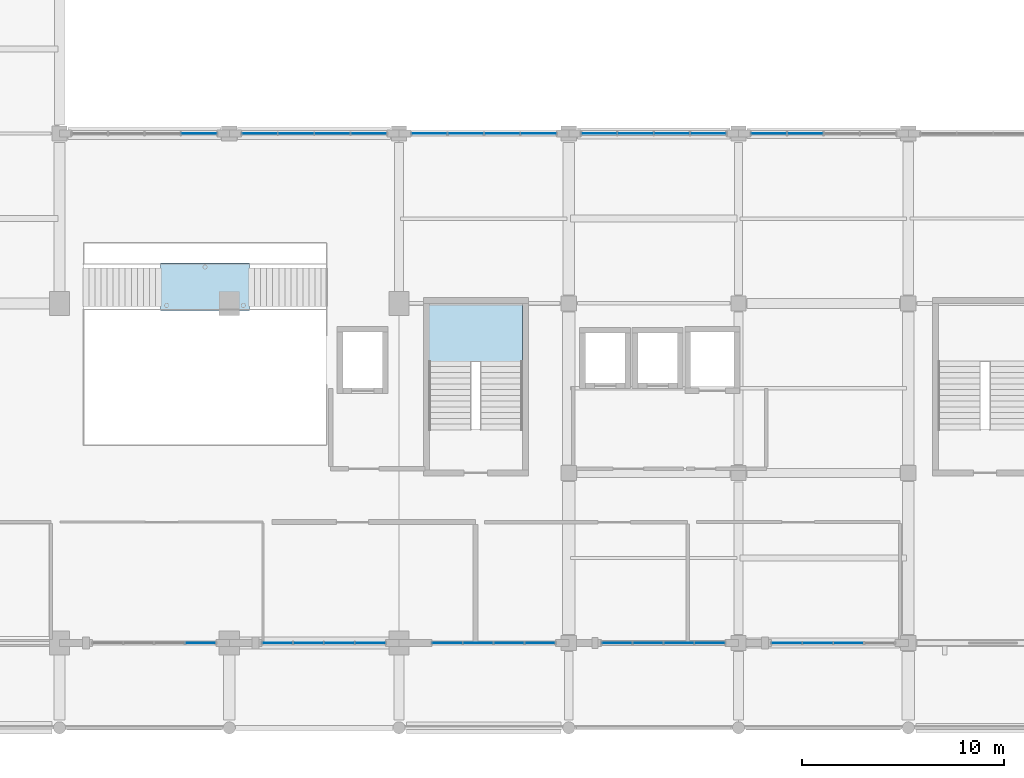
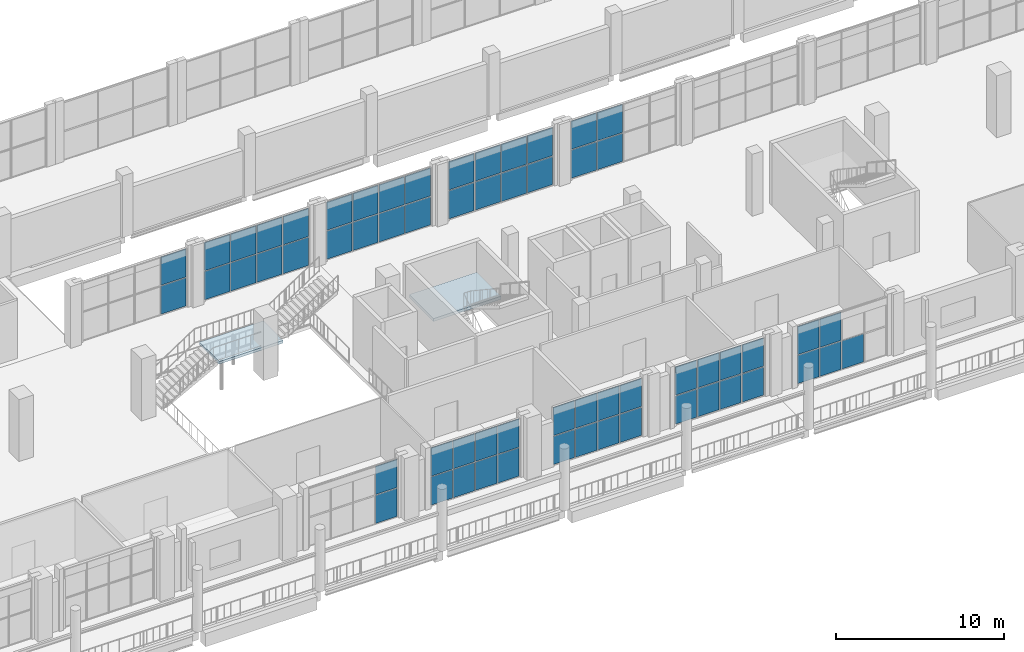
# One storey, part 47 of 75: 61 plates, 2 slabs, 12 elements without a shape of their own.
"""IFC4 building model written with IfcOpenShell, lengths in metres."""

import ifcopenshell
import ifcopenshell.guid

model = None  # the IFC model being written
_history = None  # IfcOwnerHistory: only IFC2X3 demands one
_inside = {}  # id of a spatial element -> (the spatial element, [elements in it])
_under = {}  # id of a project, library or spatial element -> (it, [spatial elements below it])
_declared = {}  # id of a project -> (the project, [libraries it declares])
_typed = {}  # id of a type object -> (the type object, [elements of that type])
_made_of = {}  # id of a material, layer set ... -> (it, [elements and type objects made of it])


def new_model(schema):
    """Start an empty IFC model of exactly this schema.

    Asked for "IFC4X3", IfcOpenShell would pick the latest addendum, in which some entities
    have other attributes; the version numbers below select the first issue.
    IFC2X3 requires an IfcOwnerHistory on every rooted entity: one is made here for all.
    """
    global model, _history
    if schema == "IFC4X3":
        model = ifcopenshell.file(schema_version=(4, 3, 0, 0))
    else:
        model = ifcopenshell.file(schema=schema)
    _inside.clear()
    _under.clear()
    _declared.clear()
    _typed.clear()
    _made_of.clear()
    _history = None
    if model.schema == "IFC2X3":
        org = make("IfcOrganization", Name="unknown")
        user = make(
            "IfcPersonAndOrganization",
            ThePerson=make("IfcPerson", FamilyName="unknown"),
            TheOrganization=org,
        )
        app = make(
            "IfcApplication",
            ApplicationDeveloper=org,
            Version="unknown",
            ApplicationFullName="unknown",
            ApplicationIdentifier="unknown",
        )
        _history = make(
            "IfcOwnerHistory",
            OwningUser=user,
            OwningApplication=app,
            ChangeAction="ADDED",
            CreationDate=0,
        )
    return model


def make(cls, **values):
    """One entity of the class cls with the attributes given. An attribute that is None is left unset."""
    return model.create_entity(
        cls, **{name: value for name, value in values.items() if value is not None}
    )


def rooted(cls, **values):
    """An entity with a GlobalId (a new one), such as an element, a storey or a relation."""
    return make(cls, GlobalId=ifcopenshell.guid.new(), OwnerHistory=_history, **values)


def si_unit(unit_type, name, prefix=None):
    """IfcSIUnit, for example si_unit("LENGTHUNIT", "METRE", prefix="MILLI")."""
    return make("IfcSIUnit", UnitType=unit_type, Prefix=prefix, Name=name)


def derived_unit(unit_type, elements):
    """IfcDerivedUnit: a product of units, each with its exponent."""
    return make(
        "IfcDerivedUnit",
        Elements=[
            make("IfcDerivedUnitElement", Unit=unit, Exponent=power)
            for unit, power in elements
        ],
        UnitType=unit_type,
    )


def assignment(units):
    """IfcUnitAssignment: the units of a project."""
    return None if units is None else make("IfcUnitAssignment", Units=units)


def point(xyz):
    """IfcCartesianPoint."""
    return None if xyz is None else make("IfcCartesianPoint", Coordinates=xyz)


def direction(xyz):
    """IfcDirection."""
    return None if xyz is None else make("IfcDirection", DirectionRatios=xyz)


def frame(location, z_axis=None, x_axis=None):
    """IfcAxis2Placement3D, a coordinate frame: its origin and axes. An axis left out is left unset."""
    return make(
        "IfcAxis2Placement3D",
        Location=point(location),
        Axis=direction(z_axis),
        RefDirection=direction(x_axis),
    )


def frame_2d(location, x_axis=None):
    """IfcAxis2Placement2D, a coordinate frame in the plane: its origin and x axis."""
    return make(
        "IfcAxis2Placement2D", Location=point(location), RefDirection=direction(x_axis)
    )


def origin():
    """The frame at (0, 0, 0) with its axes left unset."""
    return frame((0.0, 0.0, 0.0))


def origin_2d():
    """The frame at (0, 0) in the plane with its x axis left unset."""
    return frame_2d((0.0, 0.0))


def place(relative_to, where):
    """IfcLocalPlacement: puts the frame where relative to a parent placement (None: the world)."""
    return make(
        "IfcLocalPlacement", PlacementRelTo=relative_to, RelativePlacement=where
    )


def context(
    kind, dimensions, precision=None, world=None, true_north=None, identifier=None
):
    """IfcGeometricRepresentationContext, for example the 3D "Model" context."""
    return make(
        "IfcGeometricRepresentationContext",
        ContextIdentifier=identifier,
        ContextType=kind,
        CoordinateSpaceDimension=dimensions,
        Precision=precision,
        WorldCoordinateSystem=world,
        TrueNorth=true_north,
    )


def subcontext(parent, identifier, kind, view, scale=None):
    """IfcGeometricRepresentationSubContext, for example "Body" below "Model"."""
    return make(
        "IfcGeometricRepresentationSubContext",
        ContextIdentifier=identifier,
        ContextType=kind,
        ParentContext=parent,
        TargetScale=scale,
        TargetView=view,
    )


def project(units=None, contexts=None):
    """IfcProject with its units and contexts."""
    return rooted(
        "IfcProject",
        Name="project",
        RepresentationContexts=contexts,
        UnitsInContext=assignment(units),
    )


def spatial(cls, under=None, at=None, **own):
    """A site, building, storey or space (cls), placed at a placement, below another one or the project."""
    s = rooted(cls, ObjectPlacement=at, **own)
    if under is not None:
        _under.setdefault(under.id(), (under, []))[1].append(s)
    return s


def polyline(points):
    """IfcPolyline through the points."""
    return make("IfcPolyline", Points=[point(p) for p in points])


def profile(cls, at=None, kind="AREA", **sizes):
    """A parametric profile (cls). Its sizes go by their IFC names, for example OverallWidth=200.0."""
    return make(cls, ProfileType=kind, Position=at, **sizes)


def rectangle(**sizes):
    """IfcRectangleProfileDef."""
    return profile("IfcRectangleProfileDef", **sizes)


def outline(outer, holes=None, kind="AREA"):
    """IfcArbitraryClosedProfileDef: a profile drawn as a closed curve; with holes, ...WithVoids."""
    if holes is None:
        return make("IfcArbitraryClosedProfileDef", ProfileType=kind, OuterCurve=outer)
    return make(
        "IfcArbitraryProfileDefWithVoids",
        ProfileType=kind,
        OuterCurve=outer,
        InnerCurves=holes,
    )


def extrude(swept, where, along, depth):
    """IfcExtrudedAreaSolid: the profile swept, set in the frame where, extruded along a direction by depth."""
    return make(
        "IfcExtrudedAreaSolid",
        SweptArea=swept,
        Position=where,
        ExtrudedDirection=direction(along),
        Depth=depth,
    )


def shape(context_of_items, identifier, shape_type, items):
    """IfcShapeRepresentation: the items that make up one representation, for example the "Body"."""
    return make(
        "IfcShapeRepresentation",
        ContextOfItems=context_of_items,
        RepresentationIdentifier=identifier,
        RepresentationType=shape_type,
        Items=items,
    )


def material(Name=None, Category=None):
    """IfcMaterial."""
    return make("IfcMaterial", Name=Name, Category=Category)


def layer(
    of_material, thickness, ventilated=None, Name=None, Category=None, Priority=None
):
    """IfcMaterialLayer: one layer of a wall or slab, of a material (None: an air gap)."""
    return make(
        "IfcMaterialLayer",
        Material=of_material,
        LayerThickness=thickness,
        IsVentilated=ventilated,
        Name=Name,
        Category=Category,
        Priority=Priority,
    )


def layer_set(layers, Name=None):
    """IfcMaterialLayerSet."""
    return make("IfcMaterialLayerSet", MaterialLayers=layers, LayerSetName=Name)


def made_of(thing, what):
    """Note that an element or type object is made of a material, layer set ...; save() writes the relation."""
    if what is not None:
        _made_of.setdefault(what.id(), (what, []))[1].append(thing)
    return thing


def type_object(cls, material=None, **own):
    """A type object (cls), such as IfcWallType, which elements share."""
    return made_of(rooted(cls, **own), material)


def element(
    cls,
    number,
    at=None,
    inside=None,
    cuts=None,
    type_object=None,
    material=None,
    context=None,
    identifier="Body",
    shape_type=None,
    held_by="IfcProductDefinitionShape",
    body=None,
    shapes=None,
    **own,
):
    """One element of the class cls, such as IfcWall. Its Tag is "e" and its number.

    at: its placement. inside: the storey or other place that contains it. cuts: it is an
    opening in that element (IfcRelVoidsElement). A single representation is given by context,
    identifier, shape_type and body (its items); several are given by shapes. held_by: the class
    of the entity that holds the representations. save() writes the other relations.
    """
    e = rooted(cls, Tag="e%d" % number, ObjectPlacement=at, **own)
    if body is not None:
        shapes = [shape(context, identifier, shape_type, body)]
    if shapes is not None:
        e.Representation = make(held_by, Representations=shapes)
    if inside is not None:
        _inside.setdefault(inside.id(), (inside, []))[1].append(e)
    if cuts is not None:
        rooted(
            "IfcRelVoidsElement", RelatingBuildingElement=cuts, RelatedOpeningElement=e
        )
    if type_object is not None:
        _typed.setdefault(type_object.id(), (type_object, []))[1].append(e)
    return made_of(e, material)


def aggregate(whole, parts):
    """IfcRelAggregates: a whole, such as a stair, and the parts it consists of."""
    return rooted("IfcRelAggregates", RelatingObject=whole, RelatedObjects=parts)


def save(model, path):
    """Write the relations noted so far, then the file.

    IfcRelAggregates (storeys below a building ...), IfcRelContainedInSpatialStructure (elements
    in a storey), IfcRelDefinesByType, IfcRelAssociatesMaterial and IfcRelDeclares: one each for
    every whole, place, type object, material and project.
    """
    for whole, parts in _under.values():
        aggregate(whole, parts)
    for where, things in _inside.values():
        rooted(
            "IfcRelContainedInSpatialStructure",
            RelatedElements=things,
            RelatingStructure=where,
        )
    for kind, things in _typed.values():
        rooted("IfcRelDefinesByType", RelatedObjects=things, RelatingType=kind)
    for what, things in _made_of.values():
        rooted("IfcRelAssociatesMaterial", RelatedObjects=things, RelatingMaterial=what)
    for by, libraries in _declared.values():
        rooted("IfcRelDeclares", RelatingContext=by, RelatedDefinitions=libraries)
    model.write(path)


model = new_model("IFC4")

# Units and contexts
model_context = context("Model", 3, precision=1e-05, world=origin(), true_north=direction((0.0, 1.0)))
body_context = subcontext(model_context, "Body", "Model", "MODEL_VIEW")
ifc_project = project(units=[si_unit("LENGTHUNIT", "METRE"), si_unit("AREAUNIT", "SQUARE_METRE"), si_unit("VOLUMEUNIT", "CUBIC_METRE"), si_unit("PLANEANGLEUNIT", "RADIAN"), si_unit("MASSUNIT", "GRAM", prefix="KILO"), derived_unit("THERMALTRANSMITTANCEUNIT", [(si_unit("POWERUNIT", "WATT"), 1), (si_unit("LENGTHUNIT", "METRE"), -2), (si_unit("THERMODYNAMICTEMPERATUREUNIT", "KELVIN"), -1)])], contexts=[model_context])

# Site, building, storey
site_placement = place(None, origin())
site = spatial("IfcSite", under=ifc_project, at=site_placement, CompositionType="ELEMENT")
building_placement = place(site_placement, origin())
building = spatial("IfcBuilding", under=site, at=building_placement, Name="Barrovel Congress Hotel", CompositionType="ELEMENT")
storey_placement = place(building_placement, frame((0.0, 0.0, 5.39990234375)))
storey = spatial("IfcBuildingStorey", under=building, at=storey_placement, Name="L01", CompositionType="ELEMENT", Elevation=5.39990234375)

# Curtain wall, plates
ifc_material_1 = material(Name="Anodised Aluminium Alloy 6063-T6", Category="aluminium")
curtain_wall_type = type_object("IfcCurtainWallType", Name="CW-ST-7200x3900", PredefinedType="USERDEFINED", material=ifc_material_1)
curtain_wall_1_placement = place(storey_placement, origin())
curtain_wall_1 = element("IfcCurtainWall", 1, at=curtain_wall_1_placement, inside=storey, type_object=curtain_wall_type, Name="CW:L01:S:07", ObjectType="STICK CURTAIN WALL", PredefinedType="USERDEFINED")
ifc_material_2 = material(Name="Double Low-E Insulated Glazing", Category="glass")
ifc_layer_1 = layer(ifc_material_2, 0.028076171875)
ifc_layer_set_1 = layer_set([ifc_layer_1], Name="Double Low-E Insulated Glazing")
plate_type_1 = type_object("IfcPlateType", Name="CWP-28", PredefinedType="CURTAIN_PANEL", material=ifc_layer_set_1)
plate_1_placement = place(storey_placement, frame((65.77490234375, 4.199951171875, 0.0302734375), z_axis=(0.0, 0.0, 1.0), x_axis=(1.0, 0.0, 0.0)))
plate_1 = element("IfcPlate", 2, at=plate_1_placement, type_object=plate_type_1, Name="CW:L01:S:07:P3-0", PredefinedType="CURTAIN_PANEL", context=body_context, shape_type="SweptSolid", body=[
    extrude(rectangle(XDim=1.469970703125, YDim=0.028076171875, at=origin_2d()), origin(), (0.0, 0.0, 1.0), 2.050048828125),
])
plate_2_placement = place(storey_placement, frame((65.77490234375, 4.199951171875, 2.14013671875), z_axis=(0.0, 0.0, 1.0), x_axis=(1.0, 0.0, 0.0)))
plate_2 = element("IfcPlate", 3, at=plate_2_placement, type_object=plate_type_1, Name="CW:L01:S:07:P3-1", PredefinedType="CURTAIN_PANEL", context=body_context, shape_type="SweptSolid", body=[
    extrude(rectangle(XDim=1.469970703125, YDim=0.028076171875, at=origin_2d()), origin(), (0.0, 0.0, 1.0), 2.050048828125),
])
aggregate(curtain_wall_1, [plate_1, plate_2])

curtain_wall_2_placement = place(storey_placement, origin())
curtain_wall_2 = element("IfcCurtainWall", 4, at=curtain_wall_2_placement, inside=storey, type_object=curtain_wall_type, Name="CW:L01:S:09", ObjectType="STICK CURTAIN WALL", PredefinedType="USERDEFINED")
plate_3_placement = place(storey_placement, frame((77.985107421875, 4.199951171875, 0.0302734375), z_axis=(0.0, 0.0, 1.0), x_axis=(1.0, 0.0, 0.0)))
plate_3 = element("IfcPlate", 5, at=plate_3_placement, type_object=plate_type_1, Name="CW:L01:S:09:P0-0", PredefinedType="CURTAIN_PANEL", context=body_context, shape_type="SweptSolid", body=[
    extrude(rectangle(XDim=1.469970703125, YDim=0.028076171875, at=origin_2d()), origin(), (0.0, 0.0, 1.0), 2.050048828125),
])
plate_4_placement = place(storey_placement, frame((77.985107421875, 4.199951171875, 2.14013671875), z_axis=(0.0, 0.0, 1.0), x_axis=(1.0, 0.0, 0.0)))
plate_4 = element("IfcPlate", 6, at=plate_4_placement, type_object=plate_type_1, Name="CW:L01:S:09:P0-1", PredefinedType="CURTAIN_PANEL", context=body_context, shape_type="SweptSolid", body=[
    extrude(rectangle(XDim=1.469970703125, YDim=0.028076171875, at=origin_2d()), origin(), (0.0, 0.0, 1.0), 2.050048828125),
])
plate_5_placement = place(storey_placement, frame((79.514892578125, 4.199951171875, 0.0302734375), z_axis=(0.0, 0.0, 1.0), x_axis=(1.0, 0.0, 0.0)))
plate_5 = element("IfcPlate", 7, at=plate_5_placement, type_object=plate_type_1, Name="CW:L01:S:09:P1-0", PredefinedType="CURTAIN_PANEL", context=body_context, shape_type="SweptSolid", body=[
    extrude(rectangle(XDim=1.469970703125, YDim=0.028076171875, at=origin_2d()), origin(), (0.0, 0.0, 1.0), 2.050048828125),
])
plate_6_placement = place(storey_placement, frame((79.514892578125, 4.199951171875, 2.14013671875), z_axis=(0.0, 0.0, 1.0), x_axis=(1.0, 0.0, 0.0)))
plate_6 = element("IfcPlate", 8, at=plate_6_placement, type_object=plate_type_1, Name="CW:L01:S:09:P1-1", PredefinedType="CURTAIN_PANEL", context=body_context, shape_type="SweptSolid", body=[
    extrude(rectangle(XDim=1.469970703125, YDim=0.028076171875, at=origin_2d()), origin(), (0.0, 0.0, 1.0), 2.050048828125),
])
plate_7_placement = place(storey_placement, frame((81.044921875, 4.199951171875, 0.0302734375), z_axis=(0.0, 0.0, 1.0), x_axis=(1.0, 0.0, 0.0)))
plate_7 = element("IfcPlate", 9, at=plate_7_placement, type_object=plate_type_1, Name="CW:L01:S:09:P2-0", PredefinedType="CURTAIN_PANEL", context=body_context, shape_type="SweptSolid", body=[
    extrude(rectangle(XDim=1.469970703125, YDim=0.028076171875, at=origin_2d()), origin(), (0.0, 0.0, 1.0), 2.050048828125),
])
plate_8_placement = place(storey_placement, frame((81.044921875, 4.199951171875, 2.14013671875), z_axis=(0.0, 0.0, 1.0), x_axis=(1.0, 0.0, 0.0)))
plate_8 = element("IfcPlate", 10, at=plate_8_placement, type_object=plate_type_1, Name="CW:L01:S:09:P2-1", PredefinedType="CURTAIN_PANEL", context=body_context, shape_type="SweptSolid", body=[
    extrude(rectangle(XDim=1.469970703125, YDim=0.028076171875, at=origin_2d()), origin(), (0.0, 0.0, 1.0), 2.050048828125),
])
plate_9_placement = place(storey_placement, frame((82.574951171875, 4.199951171875, 0.0302734375), z_axis=(0.0, 0.0, 1.0), x_axis=(1.0, 0.0, 0.0)))
plate_9 = element("IfcPlate", 11, at=plate_9_placement, type_object=plate_type_1, Name="CW:L01:S:09:P3-0", PredefinedType="CURTAIN_PANEL", context=body_context, shape_type="SweptSolid", body=[
    extrude(rectangle(XDim=1.469970703125, YDim=0.028076171875, at=origin_2d()), origin(), (0.0, 0.0, 1.0), 2.050048828125),
])
plate_10_placement = place(storey_placement, frame((82.574951171875, 4.199951171875, 2.14013671875), z_axis=(0.0, 0.0, 1.0), x_axis=(1.0, 0.0, 0.0)))
plate_10 = element("IfcPlate", 12, at=plate_10_placement, type_object=plate_type_1, Name="CW:L01:S:09:P3-1", PredefinedType="CURTAIN_PANEL", context=body_context, shape_type="SweptSolid", body=[
    extrude(rectangle(XDim=1.469970703125, YDim=0.028076171875, at=origin_2d()), origin(), (0.0, 0.0, 1.0), 2.050048828125),
])
aggregate(curtain_wall_2, [plate_3, plate_4, plate_5, plate_6, plate_7, plate_8, plate_9, plate_10])

curtain_wall_3_placement = place(storey_placement, origin())
curtain_wall_3 = element("IfcCurtainWall", 13, at=curtain_wall_3_placement, inside=storey, type_object=curtain_wall_type, Name="CW:L01:S:11", ObjectType="STICK CURTAIN WALL", PredefinedType="USERDEFINED")
plate_11_placement = place(storey_placement, frame((94.784912109375, 4.199951171875, 0.0302734375), z_axis=(0.0, 0.0, 1.0), x_axis=(1.0, 0.0, 0.0)))
plate_11 = element("IfcPlate", 14, at=plate_11_placement, type_object=plate_type_1, Name="CW:L01:S:11:P0-0", PredefinedType="CURTAIN_PANEL", context=body_context, shape_type="SweptSolid", body=[
    extrude(rectangle(XDim=1.469970703125, YDim=0.028076171875, at=origin_2d()), origin(), (0.0, 0.0, 1.0), 2.050048828125),
])
plate_12_placement = place(storey_placement, frame((94.784912109375, 4.199951171875, 2.14013671875), z_axis=(0.0, 0.0, 1.0), x_axis=(1.0, 0.0, 0.0)))
plate_12 = element("IfcPlate", 15, at=plate_12_placement, type_object=plate_type_1, Name="CW:L01:S:11:P0-1", PredefinedType="CURTAIN_PANEL", context=body_context, shape_type="SweptSolid", body=[
    extrude(rectangle(XDim=1.469970703125, YDim=0.028076171875, at=origin_2d()), origin(), (0.0, 0.0, 1.0), 2.050048828125),
])
plate_13_placement = place(storey_placement, frame((96.31494140625, 4.199951171875, 0.0302734375), z_axis=(0.0, 0.0, 1.0), x_axis=(1.0, 0.0, 0.0)))
plate_13 = element("IfcPlate", 16, at=plate_13_placement, type_object=plate_type_1, Name="CW:L01:S:11:P1-0", PredefinedType="CURTAIN_PANEL", context=body_context, shape_type="SweptSolid", body=[
    extrude(rectangle(XDim=1.469970703125, YDim=0.028076171875, at=origin_2d()), origin(), (0.0, 0.0, 1.0), 2.050048828125),
])
plate_14_placement = place(storey_placement, frame((96.31494140625, 4.199951171875, 2.14013671875), z_axis=(0.0, 0.0, 1.0), x_axis=(1.0, 0.0, 0.0)))
plate_14 = element("IfcPlate", 17, at=plate_14_placement, type_object=plate_type_1, Name="CW:L01:S:11:P1-1", PredefinedType="CURTAIN_PANEL", context=body_context, shape_type="SweptSolid", body=[
    extrude(rectangle(XDim=1.469970703125, YDim=0.028076171875, at=origin_2d()), origin(), (0.0, 0.0, 1.0), 2.050048828125),
])
plate_15_placement = place(storey_placement, frame((97.844970703125, 4.199951171875, 0.0302734375), z_axis=(0.0, 0.0, 1.0), x_axis=(1.0, 0.0, 0.0)))
plate_15 = element("IfcPlate", 18, at=plate_15_placement, type_object=plate_type_1, Name="CW:L01:S:11:P2-0", PredefinedType="CURTAIN_PANEL", context=body_context, shape_type="SweptSolid", body=[
    extrude(rectangle(XDim=1.469970703125, YDim=0.028076171875, at=origin_2d()), origin(), (0.0, 0.0, 1.0), 2.050048828125),
])
aggregate(curtain_wall_3, [plate_11, plate_12, plate_13, plate_14, plate_15])

curtain_wall_4_placement = place(storey_placement, origin())
curtain_wall_4 = element("IfcCurtainWall", 19, at=curtain_wall_4_placement, inside=storey, type_object=curtain_wall_type, Name="CW:L01:CS:11", ObjectType="STICK CURTAIN WALL", PredefinedType="USERDEFINED")
plate_16_placement = place(storey_placement, frame((95.699951171875, 29.39990234375, 0.0302734375), z_axis=(0.0, 0.0, 1.0), x_axis=(-1.0, 0.0, 0.0)))
plate_16 = element("IfcPlate", 20, at=plate_16_placement, type_object=plate_type_1, Name="CW:L01:CS:11:P2-0", PredefinedType="CURTAIN_PANEL", context=body_context, shape_type="SweptSolid", body=[
    extrude(rectangle(XDim=1.739990234375, YDim=0.028076171875, at=origin_2d()), origin(), (0.0, 0.0, 1.0), 2.050048828125),
])
plate_17_placement = place(storey_placement, frame((95.699951171875, 29.39990234375, 2.14013671875), z_axis=(0.0, 0.0, 1.0), x_axis=(-1.0, 0.0, 0.0)))
plate_17 = element("IfcPlate", 21, at=plate_17_placement, type_object=plate_type_1, Name="CW:L01:CS:11:P2-1", PredefinedType="CURTAIN_PANEL", context=body_context, shape_type="SweptSolid", body=[
    extrude(rectangle(XDim=1.739990234375, YDim=0.028076171875, at=origin_2d()), origin(), (0.0, 0.0, 1.0), 2.050048828125),
])
plate_18_placement = place(storey_placement, frame((93.89990234375, 29.39990234375, 0.0302734375), z_axis=(0.0, 0.0, 1.0), x_axis=(-1.0, 0.0, 0.0)))
plate_18 = element("IfcPlate", 22, at=plate_18_placement, type_object=plate_type_1, Name="CW:L01:CS:11:P3-0", PredefinedType="CURTAIN_PANEL", context=body_context, shape_type="SweptSolid", body=[
    extrude(rectangle(XDim=1.739990234375, YDim=0.028076171875, at=origin_2d()), origin(), (0.0, 0.0, 1.0), 2.050048828125),
])
plate_19_placement = place(storey_placement, frame((93.89990234375, 29.39990234375, 2.14013671875), z_axis=(0.0, 0.0, 1.0), x_axis=(-1.0, 0.0, 0.0)))
plate_19 = element("IfcPlate", 23, at=plate_19_placement, type_object=plate_type_1, Name="CW:L01:CS:11:P3-1", PredefinedType="CURTAIN_PANEL", context=body_context, shape_type="SweptSolid", body=[
    extrude(rectangle(XDim=1.739990234375, YDim=0.028076171875, at=origin_2d()), origin(), (0.0, 0.0, 1.0), 2.050048828125),
])
aggregate(curtain_wall_4, [plate_16, plate_17, plate_18, plate_19])

curtain_wall_5_placement = place(storey_placement, origin())
curtain_wall_5 = element("IfcCurtainWall", 24, at=curtain_wall_5_placement, inside=storey, type_object=curtain_wall_type, Name="CW:L01:CS:09", ObjectType="STICK CURTAIN WALL", PredefinedType="USERDEFINED")
plate_20_placement = place(storey_placement, frame((82.5, 29.39990234375, 0.0302734375), z_axis=(0.0, 0.0, 1.0), x_axis=(-1.0, 0.0, 0.0)))
plate_20 = element("IfcPlate", 25, at=plate_20_placement, type_object=plate_type_1, Name="CW:L01:CS:09:P0-0", PredefinedType="CURTAIN_PANEL", context=body_context, shape_type="SweptSolid", body=[
    extrude(rectangle(XDim=1.739990234375, YDim=0.028076171875, at=origin_2d()), origin(), (0.0, 0.0, 1.0), 2.050048828125),
])
plate_21_placement = place(storey_placement, frame((82.5, 29.39990234375, 2.14013671875), z_axis=(0.0, 0.0, 1.0), x_axis=(-1.0, 0.0, 0.0)))
plate_21 = element("IfcPlate", 26, at=plate_21_placement, type_object=plate_type_1, Name="CW:L01:CS:09:P0-1", PredefinedType="CURTAIN_PANEL", context=body_context, shape_type="SweptSolid", body=[
    extrude(rectangle(XDim=1.739990234375, YDim=0.028076171875, at=origin_2d()), origin(), (0.0, 0.0, 1.0), 2.050048828125),
])
plate_22_placement = place(storey_placement, frame((80.699951171875, 29.39990234375, 0.0302734375), z_axis=(0.0, 0.0, 1.0), x_axis=(-1.0, 0.0, 0.0)))
plate_22 = element("IfcPlate", 27, at=plate_22_placement, type_object=plate_type_1, Name="CW:L01:CS:09:P1-0", PredefinedType="CURTAIN_PANEL", context=body_context, shape_type="SweptSolid", body=[
    extrude(rectangle(XDim=1.739990234375, YDim=0.028076171875, at=origin_2d()), origin(), (0.0, 0.0, 1.0), 2.050048828125),
])
plate_23_placement = place(storey_placement, frame((80.699951171875, 29.39990234375, 2.14013671875), z_axis=(0.0, 0.0, 1.0), x_axis=(-1.0, 0.0, 0.0)))
plate_23 = element("IfcPlate", 28, at=plate_23_placement, type_object=plate_type_1, Name="CW:L01:CS:09:P1-1", PredefinedType="CURTAIN_PANEL", context=body_context, shape_type="SweptSolid", body=[
    extrude(rectangle(XDim=1.739990234375, YDim=0.028076171875, at=origin_2d()), origin(), (0.0, 0.0, 1.0), 2.050048828125),
])
plate_24_placement = place(storey_placement, frame((78.89990234375, 29.39990234375, 0.0302734375), z_axis=(0.0, 0.0, 1.0), x_axis=(-1.0, 0.0, 0.0)))
plate_24 = element("IfcPlate", 29, at=plate_24_placement, type_object=plate_type_1, Name="CW:L01:CS:09:P2-0", PredefinedType="CURTAIN_PANEL", context=body_context, shape_type="SweptSolid", body=[
    extrude(rectangle(XDim=1.739990234375, YDim=0.028076171875, at=origin_2d()), origin(), (0.0, 0.0, 1.0), 2.050048828125),
])
plate_25_placement = place(storey_placement, frame((78.89990234375, 29.39990234375, 2.14013671875), z_axis=(0.0, 0.0, 1.0), x_axis=(-1.0, 0.0, 0.0)))
plate_25 = element("IfcPlate", 30, at=plate_25_placement, type_object=plate_type_1, Name="CW:L01:CS:09:P2-1", PredefinedType="CURTAIN_PANEL", context=body_context, shape_type="SweptSolid", body=[
    extrude(rectangle(XDim=1.739990234375, YDim=0.028076171875, at=origin_2d()), origin(), (0.0, 0.0, 1.0), 2.050048828125),
])
plate_26_placement = place(storey_placement, frame((77.10009765625, 29.39990234375, 0.0302734375), z_axis=(0.0, 0.0, 1.0), x_axis=(-1.0, 0.0, 0.0)))
plate_26 = element("IfcPlate", 31, at=plate_26_placement, type_object=plate_type_1, Name="CW:L01:CS:09:P3-0", PredefinedType="CURTAIN_PANEL", context=body_context, shape_type="SweptSolid", body=[
    extrude(rectangle(XDim=1.739990234375, YDim=0.028076171875, at=origin_2d()), origin(), (0.0, 0.0, 1.0), 2.050048828125),
])
plate_27_placement = place(storey_placement, frame((77.10009765625, 29.39990234375, 2.14013671875), z_axis=(0.0, 0.0, 1.0), x_axis=(-1.0, 0.0, 0.0)))
plate_27 = element("IfcPlate", 32, at=plate_27_placement, type_object=plate_type_1, Name="CW:L01:CS:09:P3-1", PredefinedType="CURTAIN_PANEL", context=body_context, shape_type="SweptSolid", body=[
    extrude(rectangle(XDim=1.739990234375, YDim=0.028076171875, at=origin_2d()), origin(), (0.0, 0.0, 1.0), 2.050048828125),
])
aggregate(curtain_wall_5, [plate_20, plate_21, plate_22, plate_23, plate_24, plate_25, plate_26, plate_27])

curtain_wall_6_placement = place(storey_placement, origin())
curtain_wall_6 = element("IfcCurtainWall", 33, at=curtain_wall_6_placement, inside=storey, type_object=curtain_wall_type, Name="CW:L01:CS:07", ObjectType="STICK CURTAIN WALL", PredefinedType="USERDEFINED")
plate_28_placement = place(storey_placement, frame((65.699951171875, 29.39990234375, 0.0302734375), z_axis=(0.0, 0.0, 1.0), x_axis=(-1.0, 0.0, 0.0)))
plate_28 = element("IfcPlate", 34, at=plate_28_placement, type_object=plate_type_1, Name="CW:L01:CS:07:P0-0", PredefinedType="CURTAIN_PANEL", context=body_context, shape_type="SweptSolid", body=[
    extrude(rectangle(XDim=1.739990234375, YDim=0.028076171875, at=origin_2d()), origin(), (0.0, 0.0, 1.0), 2.050048828125),
])
plate_29_placement = place(storey_placement, frame((65.699951171875, 29.39990234375, 2.14013671875), z_axis=(0.0, 0.0, 1.0), x_axis=(-1.0, 0.0, 0.0)))
plate_29 = element("IfcPlate", 35, at=plate_29_placement, type_object=plate_type_1, Name="CW:L01:CS:07:P0-1", PredefinedType="CURTAIN_PANEL", context=body_context, shape_type="SweptSolid", body=[
    extrude(rectangle(XDim=1.739990234375, YDim=0.028076171875, at=origin_2d()), origin(), (0.0, 0.0, 1.0), 2.050048828125),
])
aggregate(curtain_wall_6, [plate_28, plate_29])

curtain_wall_7_placement = place(storey_placement, origin())
curtain_wall_7 = element("IfcCurtainWall", 36, at=curtain_wall_7_placement, inside=storey, type_object=curtain_wall_type, Name="CW:L01:S:08", ObjectType="STICK CURTAIN WALL", PredefinedType="USERDEFINED")
ifc_layer_2 = layer(ifc_material_2, 0.031982421875)
ifc_layer_set_2 = layer_set([ifc_layer_2], Name="Double Low-E Insulated Glazing")
plate_type_2 = type_object("IfcPlateType", Name="CWP-32", PredefinedType="CURTAIN_PANEL", material=ifc_layer_set_2)
plate_30_placement = place(storey_placement, frame((69.5849609375, 4.199951171875, 0.0302734375), z_axis=(0.0, 0.0, 1.0), x_axis=(1.0, 0.0, 0.0)))
plate_30 = element("IfcPlate", 37, at=plate_30_placement, type_object=plate_type_2, Name="CW:L01:S:08:P0-0", PredefinedType="CURTAIN_PANEL", context=body_context, shape_type="SweptSolid", body=[
    extrude(rectangle(XDim=1.469970703125, YDim=0.031982421875, at=origin_2d()), origin(), (0.0, 0.0, 1.0), 2.050048828125),
])
plate_31_placement = place(storey_placement, frame((69.5849609375, 4.199951171875, 2.14013671875), z_axis=(0.0, 0.0, 1.0), x_axis=(1.0, 0.0, 0.0)))
plate_31 = element("IfcPlate", 38, at=plate_31_placement, type_object=plate_type_2, Name="CW:L01:S:08:P0-1", PredefinedType="CURTAIN_PANEL", context=body_context, shape_type="SweptSolid", body=[
    extrude(rectangle(XDim=1.469970703125, YDim=0.031982421875, at=origin_2d()), origin(), (0.0, 0.0, 1.0), 2.050048828125),
])
plate_32_placement = place(storey_placement, frame((71.114990234375, 4.199951171875, 0.0302734375), z_axis=(0.0, 0.0, 1.0), x_axis=(1.0, 0.0, 0.0)))
plate_32 = element("IfcPlate", 39, at=plate_32_placement, type_object=plate_type_2, Name="CW:L01:S:08:P1-0", PredefinedType="CURTAIN_PANEL", context=body_context, shape_type="SweptSolid", body=[
    extrude(rectangle(XDim=1.469970703125, YDim=0.031982421875, at=origin_2d()), origin(), (0.0, 0.0, 1.0), 2.050048828125),
])
plate_33_placement = place(storey_placement, frame((71.114990234375, 4.199951171875, 2.14013671875), z_axis=(0.0, 0.0, 1.0), x_axis=(1.0, 0.0, 0.0)))
plate_33 = element("IfcPlate", 40, at=plate_33_placement, type_object=plate_type_2, Name="CW:L01:S:08:P1-1", PredefinedType="CURTAIN_PANEL", context=body_context, shape_type="SweptSolid", body=[
    extrude(rectangle(XDim=1.469970703125, YDim=0.031982421875, at=origin_2d()), origin(), (0.0, 0.0, 1.0), 2.050048828125),
])
plate_34_placement = place(storey_placement, frame((72.64501953125, 4.199951171875, 0.0302734375), z_axis=(0.0, 0.0, 1.0), x_axis=(1.0, 0.0, 0.0)))
plate_34 = element("IfcPlate", 41, at=plate_34_placement, type_object=plate_type_2, Name="CW:L01:S:08:P2-0", PredefinedType="CURTAIN_PANEL", context=body_context, shape_type="SweptSolid", body=[
    extrude(rectangle(XDim=1.469970703125, YDim=0.031982421875, at=origin_2d()), origin(), (0.0, 0.0, 1.0), 2.050048828125),
])
plate_35_placement = place(storey_placement, frame((72.64501953125, 4.199951171875, 2.14013671875), z_axis=(0.0, 0.0, 1.0), x_axis=(1.0, 0.0, 0.0)))
plate_35 = element("IfcPlate", 42, at=plate_35_placement, type_object=plate_type_2, Name="CW:L01:S:08:P2-1", PredefinedType="CURTAIN_PANEL", context=body_context, shape_type="SweptSolid", body=[
    extrude(rectangle(XDim=1.469970703125, YDim=0.031982421875, at=origin_2d()), origin(), (0.0, 0.0, 1.0), 2.050048828125),
])
plate_36_placement = place(storey_placement, frame((74.175048828125, 4.199951171875, 0.0302734375), z_axis=(0.0, 0.0, 1.0), x_axis=(1.0, 0.0, 0.0)))
plate_36 = element("IfcPlate", 43, at=plate_36_placement, type_object=plate_type_2, Name="CW:L01:S:08:P3-0", PredefinedType="CURTAIN_PANEL", context=body_context, shape_type="SweptSolid", body=[
    extrude(rectangle(XDim=1.469970703125, YDim=0.031982421875, at=origin_2d()), origin(), (0.0, 0.0, 1.0), 2.050048828125),
])
plate_37_placement = place(storey_placement, frame((74.175048828125, 4.199951171875, 2.14013671875), z_axis=(0.0, 0.0, 1.0), x_axis=(1.0, 0.0, 0.0)))
plate_37 = element("IfcPlate", 44, at=plate_37_placement, type_object=plate_type_2, Name="CW:L01:S:08:P3-1", PredefinedType="CURTAIN_PANEL", context=body_context, shape_type="SweptSolid", body=[
    extrude(rectangle(XDim=1.469970703125, YDim=0.031982421875, at=origin_2d()), origin(), (0.0, 0.0, 1.0), 2.050048828125),
])
aggregate(curtain_wall_7, [plate_30, plate_31, plate_32, plate_33, plate_34, plate_35, plate_36, plate_37])

curtain_wall_8_placement = place(storey_placement, origin())
curtain_wall_8 = element("IfcCurtainWall", 45, at=curtain_wall_8_placement, inside=storey, type_object=curtain_wall_type, Name="CW:L01:S:10", ObjectType="STICK CURTAIN WALL", PredefinedType="USERDEFINED")
plate_38_placement = place(storey_placement, frame((86.385009765625, 4.199951171875, 0.0302734375), z_axis=(0.0, 0.0, 1.0), x_axis=(1.0, 0.0, 0.0)))
plate_38 = element("IfcPlate", 46, at=plate_38_placement, type_object=plate_type_2, Name="CW:L01:S:10:P0-0", PredefinedType="CURTAIN_PANEL", context=body_context, shape_type="SweptSolid", body=[
    extrude(rectangle(XDim=1.469970703125, YDim=0.031982421875, at=origin_2d()), origin(), (0.0, 0.0, 1.0), 2.050048828125),
])
plate_39_placement = place(storey_placement, frame((86.385009765625, 4.199951171875, 2.14013671875), z_axis=(0.0, 0.0, 1.0), x_axis=(1.0, 0.0, 0.0)))
plate_39 = element("IfcPlate", 47, at=plate_39_placement, type_object=plate_type_2, Name="CW:L01:S:10:P0-1", PredefinedType="CURTAIN_PANEL", context=body_context, shape_type="SweptSolid", body=[
    extrude(rectangle(XDim=1.469970703125, YDim=0.031982421875, at=origin_2d()), origin(), (0.0, 0.0, 1.0), 2.050048828125),
])
plate_40_placement = place(storey_placement, frame((87.9150390625, 4.199951171875, 0.0302734375), z_axis=(0.0, 0.0, 1.0), x_axis=(1.0, 0.0, 0.0)))
plate_40 = element("IfcPlate", 48, at=plate_40_placement, type_object=plate_type_2, Name="CW:L01:S:10:P1-0", PredefinedType="CURTAIN_PANEL", context=body_context, shape_type="SweptSolid", body=[
    extrude(rectangle(XDim=1.469970703125, YDim=0.031982421875, at=origin_2d()), origin(), (0.0, 0.0, 1.0), 2.050048828125),
])
plate_41_placement = place(storey_placement, frame((87.9150390625, 4.199951171875, 2.14013671875), z_axis=(0.0, 0.0, 1.0), x_axis=(1.0, 0.0, 0.0)))
plate_41 = element("IfcPlate", 49, at=plate_41_placement, type_object=plate_type_2, Name="CW:L01:S:10:P1-1", PredefinedType="CURTAIN_PANEL", context=body_context, shape_type="SweptSolid", body=[
    extrude(rectangle(XDim=1.469970703125, YDim=0.031982421875, at=origin_2d()), origin(), (0.0, 0.0, 1.0), 2.050048828125),
])
plate_42_placement = place(storey_placement, frame((89.445068359375, 4.199951171875, 0.0302734375), z_axis=(0.0, 0.0, 1.0), x_axis=(1.0, 0.0, 0.0)))
plate_42 = element("IfcPlate", 50, at=plate_42_placement, type_object=plate_type_2, Name="CW:L01:S:10:P2-0", PredefinedType="CURTAIN_PANEL", context=body_context, shape_type="SweptSolid", body=[
    extrude(rectangle(XDim=1.469970703125, YDim=0.031982421875, at=origin_2d()), origin(), (0.0, 0.0, 1.0), 2.050048828125),
])
plate_43_placement = place(storey_placement, frame((89.445068359375, 4.199951171875, 2.14013671875), z_axis=(0.0, 0.0, 1.0), x_axis=(1.0, 0.0, 0.0)))
plate_43 = element("IfcPlate", 51, at=plate_43_placement, type_object=plate_type_2, Name="CW:L01:S:10:P2-1", PredefinedType="CURTAIN_PANEL", context=body_context, shape_type="SweptSolid", body=[
    extrude(rectangle(XDim=1.469970703125, YDim=0.031982421875, at=origin_2d()), origin(), (0.0, 0.0, 1.0), 2.050048828125),
])
plate_44_placement = place(storey_placement, frame((90.97509765625, 4.199951171875, 0.0302734375), z_axis=(0.0, 0.0, 1.0), x_axis=(1.0, 0.0, 0.0)))
plate_44 = element("IfcPlate", 52, at=plate_44_placement, type_object=plate_type_2, Name="CW:L01:S:10:P3-0", PredefinedType="CURTAIN_PANEL", context=body_context, shape_type="SweptSolid", body=[
    extrude(rectangle(XDim=1.469970703125, YDim=0.031982421875, at=origin_2d()), origin(), (0.0, 0.0, 1.0), 2.050048828125),
])
plate_45_placement = place(storey_placement, frame((90.97509765625, 4.199951171875, 2.14013671875), z_axis=(0.0, 0.0, 1.0), x_axis=(1.0, 0.0, 0.0)))
plate_45 = element("IfcPlate", 53, at=plate_45_placement, type_object=plate_type_2, Name="CW:L01:S:10:P3-1", PredefinedType="CURTAIN_PANEL", context=body_context, shape_type="SweptSolid", body=[
    extrude(rectangle(XDim=1.469970703125, YDim=0.031982421875, at=origin_2d()), origin(), (0.0, 0.0, 1.0), 2.050048828125),
])
aggregate(curtain_wall_8, [plate_38, plate_39, plate_40, plate_41, plate_42, plate_43, plate_44, plate_45])

curtain_wall_9_placement = place(storey_placement, origin())
curtain_wall_9 = element("IfcCurtainWall", 54, at=curtain_wall_9_placement, inside=storey, type_object=curtain_wall_type, Name="CW:L01:CS:10", ObjectType="STICK CURTAIN WALL", PredefinedType="USERDEFINED")
plate_46_placement = place(storey_placement, frame((90.89990234375, 29.39990234375, 0.0302734375), z_axis=(0.0, 0.0, 1.0), x_axis=(-1.0, 0.0, 0.0)))
plate_46 = element("IfcPlate", 55, at=plate_46_placement, type_object=plate_type_2, Name="CW:L01:CS:10:P0-0", PredefinedType="CURTAIN_PANEL", context=body_context, shape_type="SweptSolid", body=[
    extrude(rectangle(XDim=1.739990234375, YDim=0.031982421875, at=origin_2d()), origin(), (0.0, 0.0, 1.0), 2.050048828125),
])
plate_47_placement = place(storey_placement, frame((90.89990234375, 29.39990234375, 2.14013671875), z_axis=(0.0, 0.0, 1.0), x_axis=(-1.0, 0.0, 0.0)))
plate_47 = element("IfcPlate", 56, at=plate_47_placement, type_object=plate_type_2, Name="CW:L01:CS:10:P0-1", PredefinedType="CURTAIN_PANEL", context=body_context, shape_type="SweptSolid", body=[
    extrude(rectangle(XDim=1.739990234375, YDim=0.031982421875, at=origin_2d()), origin(), (0.0, 0.0, 1.0), 2.050048828125),
])
plate_48_placement = place(storey_placement, frame((89.10009765625, 29.39990234375, 0.0302734375), z_axis=(0.0, 0.0, 1.0), x_axis=(-1.0, 0.0, 0.0)))
plate_48 = element("IfcPlate", 57, at=plate_48_placement, type_object=plate_type_2, Name="CW:L01:CS:10:P1-0", PredefinedType="CURTAIN_PANEL", context=body_context, shape_type="SweptSolid", body=[
    extrude(rectangle(XDim=1.739990234375, YDim=0.031982421875, at=origin_2d()), origin(), (0.0, 0.0, 1.0), 2.050048828125),
])
plate_49_placement = place(storey_placement, frame((89.10009765625, 29.39990234375, 2.14013671875), z_axis=(0.0, 0.0, 1.0), x_axis=(-1.0, 0.0, 0.0)))
plate_49 = element("IfcPlate", 58, at=plate_49_placement, type_object=plate_type_2, Name="CW:L01:CS:10:P1-1", PredefinedType="CURTAIN_PANEL", context=body_context, shape_type="SweptSolid", body=[
    extrude(rectangle(XDim=1.739990234375, YDim=0.031982421875, at=origin_2d()), origin(), (0.0, 0.0, 1.0), 2.050048828125),
])
plate_50_placement = place(storey_placement, frame((87.300048828125, 29.39990234375, 0.0302734375), z_axis=(0.0, 0.0, 1.0), x_axis=(-1.0, 0.0, 0.0)))
plate_50 = element("IfcPlate", 59, at=plate_50_placement, type_object=plate_type_2, Name="CW:L01:CS:10:P2-0", PredefinedType="CURTAIN_PANEL", context=body_context, shape_type="SweptSolid", body=[
    extrude(rectangle(XDim=1.739990234375, YDim=0.031982421875, at=origin_2d()), origin(), (0.0, 0.0, 1.0), 2.050048828125),
])
plate_51_placement = place(storey_placement, frame((87.300048828125, 29.39990234375, 2.14013671875), z_axis=(0.0, 0.0, 1.0), x_axis=(-1.0, 0.0, 0.0)))
plate_51 = element("IfcPlate", 60, at=plate_51_placement, type_object=plate_type_2, Name="CW:L01:CS:10:P2-1", PredefinedType="CURTAIN_PANEL", context=body_context, shape_type="SweptSolid", body=[
    extrude(rectangle(XDim=1.739990234375, YDim=0.031982421875, at=origin_2d()), origin(), (0.0, 0.0, 1.0), 2.050048828125),
])
plate_52_placement = place(storey_placement, frame((85.5, 29.39990234375, 0.0302734375), z_axis=(0.0, 0.0, 1.0), x_axis=(-1.0, 0.0, 0.0)))
plate_52 = element("IfcPlate", 61, at=plate_52_placement, type_object=plate_type_2, Name="CW:L01:CS:10:P3-0", PredefinedType="CURTAIN_PANEL", context=body_context, shape_type="SweptSolid", body=[
    extrude(rectangle(XDim=1.739990234375, YDim=0.031982421875, at=origin_2d()), origin(), (0.0, 0.0, 1.0), 2.050048828125),
])
plate_53_placement = place(storey_placement, frame((85.5, 29.39990234375, 2.14013671875), z_axis=(0.0, 0.0, 1.0), x_axis=(-1.0, 0.0, 0.0)))
plate_53 = element("IfcPlate", 62, at=plate_53_placement, type_object=plate_type_2, Name="CW:L01:CS:10:P3-1", PredefinedType="CURTAIN_PANEL", context=body_context, shape_type="SweptSolid", body=[
    extrude(rectangle(XDim=1.739990234375, YDim=0.031982421875, at=origin_2d()), origin(), (0.0, 0.0, 1.0), 2.050048828125),
])
aggregate(curtain_wall_9, [plate_46, plate_47, plate_48, plate_49, plate_50, plate_51, plate_52, plate_53])

curtain_wall_10_placement = place(storey_placement, origin())
curtain_wall_10 = element("IfcCurtainWall", 63, at=curtain_wall_10_placement, inside=storey, type_object=curtain_wall_type, Name="CW:L01:CS:08", ObjectType="STICK CURTAIN WALL", PredefinedType="USERDEFINED")
plate_54_placement = place(storey_placement, frame((74.10009765625, 29.39990234375, 0.0302734375), z_axis=(0.0, 0.0, 1.0), x_axis=(-1.0, 0.0, 0.0)))
plate_54 = element("IfcPlate", 64, at=plate_54_placement, type_object=plate_type_2, Name="CW:L01:CS:08:P0-0", PredefinedType="CURTAIN_PANEL", context=body_context, shape_type="SweptSolid", body=[
    extrude(rectangle(XDim=1.739990234375, YDim=0.031982421875, at=origin_2d()), origin(), (0.0, 0.0, 1.0), 2.050048828125),
])
plate_55_placement = place(storey_placement, frame((74.10009765625, 29.39990234375, 2.14013671875), z_axis=(0.0, 0.0, 1.0), x_axis=(-1.0, 0.0, 0.0)))
plate_55 = element("IfcPlate", 65, at=plate_55_placement, type_object=plate_type_2, Name="CW:L01:CS:08:P0-1", PredefinedType="CURTAIN_PANEL", context=body_context, shape_type="SweptSolid", body=[
    extrude(rectangle(XDim=1.739990234375, YDim=0.031982421875, at=origin_2d()), origin(), (0.0, 0.0, 1.0), 2.050048828125),
])
plate_56_placement = place(storey_placement, frame((72.300048828125, 29.39990234375, 0.0302734375), z_axis=(0.0, 0.0, 1.0), x_axis=(-1.0, 0.0, 0.0)))
plate_56 = element("IfcPlate", 66, at=plate_56_placement, type_object=plate_type_2, Name="CW:L01:CS:08:P1-0", PredefinedType="CURTAIN_PANEL", context=body_context, shape_type="SweptSolid", body=[
    extrude(rectangle(XDim=1.739990234375, YDim=0.031982421875, at=origin_2d()), origin(), (0.0, 0.0, 1.0), 2.050048828125),
])
plate_57_placement = place(storey_placement, frame((72.300048828125, 29.39990234375, 2.14013671875), z_axis=(0.0, 0.0, 1.0), x_axis=(-1.0, 0.0, 0.0)))
plate_57 = element("IfcPlate", 67, at=plate_57_placement, type_object=plate_type_2, Name="CW:L01:CS:08:P1-1", PredefinedType="CURTAIN_PANEL", context=body_context, shape_type="SweptSolid", body=[
    extrude(rectangle(XDim=1.739990234375, YDim=0.031982421875, at=origin_2d()), origin(), (0.0, 0.0, 1.0), 2.050048828125),
])
plate_58_placement = place(storey_placement, frame((70.5, 29.39990234375, 0.0302734375), z_axis=(0.0, 0.0, 1.0), x_axis=(-1.0, 0.0, 0.0)))
plate_58 = element("IfcPlate", 68, at=plate_58_placement, type_object=plate_type_2, Name="CW:L01:CS:08:P2-0", PredefinedType="CURTAIN_PANEL", context=body_context, shape_type="SweptSolid", body=[
    extrude(rectangle(XDim=1.739990234375, YDim=0.031982421875, at=origin_2d()), origin(), (0.0, 0.0, 1.0), 2.050048828125),
])
plate_59_placement = place(storey_placement, frame((70.5, 29.39990234375, 2.14013671875), z_axis=(0.0, 0.0, 1.0), x_axis=(-1.0, 0.0, 0.0)))
plate_59 = element("IfcPlate", 69, at=plate_59_placement, type_object=plate_type_2, Name="CW:L01:CS:08:P2-1", PredefinedType="CURTAIN_PANEL", context=body_context, shape_type="SweptSolid", body=[
    extrude(rectangle(XDim=1.739990234375, YDim=0.031982421875, at=origin_2d()), origin(), (0.0, 0.0, 1.0), 2.050048828125),
])
plate_60_placement = place(storey_placement, frame((68.699951171875, 29.39990234375, 0.0302734375), z_axis=(0.0, 0.0, 1.0), x_axis=(-1.0, 0.0, 0.0)))
plate_60 = element("IfcPlate", 70, at=plate_60_placement, type_object=plate_type_2, Name="CW:L01:CS:08:P3-0", PredefinedType="CURTAIN_PANEL", context=body_context, shape_type="SweptSolid", body=[
    extrude(rectangle(XDim=1.739990234375, YDim=0.031982421875, at=origin_2d()), origin(), (0.0, 0.0, 1.0), 2.050048828125),
])
plate_61_placement = place(storey_placement, frame((68.699951171875, 29.39990234375, 2.14013671875), z_axis=(0.0, 0.0, 1.0), x_axis=(-1.0, 0.0, 0.0)))
plate_61 = element("IfcPlate", 71, at=plate_61_placement, type_object=plate_type_2, Name="CW:L01:CS:08:P3-1", PredefinedType="CURTAIN_PANEL", context=body_context, shape_type="SweptSolid", body=[
    extrude(rectangle(XDim=1.739990234375, YDim=0.031982421875, at=origin_2d()), origin(), (0.0, 0.0, 1.0), 2.050048828125),
])
aggregate(curtain_wall_10, [plate_54, plate_55, plate_56, plate_57, plate_58, plate_59, plate_60, plate_61])

# Stair, slab
ifc_material_3 = material(Name="Concrete C40", Category="concrete")
stair_type_1 = type_object("IfcStairType", Name="STR-SR-450", PredefinedType="STRAIGHT_RUN_STAIR", material=ifc_material_3)
stair_1_placement = place(storey_placement, origin())
stair_1 = element("IfcStair", 72, at=stair_1_placement, inside=storey, type_object=stair_type_1, Name="Atrium Grand Stair L01-L02", PredefinedType="STRAIGHT_RUN_STAIR")
ifc_layer_3 = layer(ifc_material_3, 0.18994140625)
ifc_layer_set_3 = layer_set([ifc_layer_3], Name="Concrete C40")
slab_type_1 = type_object("IfcSlabType", Name="SL-LDG-190", PredefinedType="LANDING", material=ifc_layer_set_3)
slab_1_placement = place(storey_placement, frame((0.0, 0.0, 2.06005859375)))
slab_1 = element("IfcSlab", 73, at=slab_1_placement, type_object=slab_type_1, Name="STAIR:ATR-L01:LDG", PredefinedType="LANDING", context=body_context, shape_type="SweptSolid", body=[
    extrude(outline(polyline([(63.800048828125, 20.64990234375), (68.199951171875, 20.64990234375), (68.199951171875, 23.0), (63.800048828125, 23.0), (63.800048828125, 20.64990234375)])), origin(), (0.0, 0.0, 1.0), 0.18994140625),
])
aggregate(stair_1, [slab_1])

stair_type_2 = type_object("IfcStairType", Name="STR-HT-450", PredefinedType="HALF_TURN_STAIR", material=ifc_material_3)
stair_2_placement = place(storey_placement, origin())
stair_2 = element("IfcStair", 74, at=stair_2_placement, inside=storey, type_object=stair_type_2, Name="Exit Stair XS-02 (L01)", PredefinedType="HALF_TURN_STAIR")
ifc_layer_4 = layer(ifc_material_3, 0.2099609375)
ifc_layer_set_4 = layer_set([ifc_layer_4], Name="Concrete C40")
slab_type_2 = type_object("IfcSlabType", Name="SL-LDG-210", PredefinedType="LANDING", material=ifc_layer_set_4)
slab_2_placement = place(storey_placement, frame((0.0, 0.0, 2.0400390625)))
slab_2 = element("IfcSlab", 75, at=slab_2_placement, type_object=slab_type_2, Name="STAIR:XS-02:L01:LDG", PredefinedType="LANDING", context=body_context, shape_type="SweptSolid", body=[
    extrude(outline(polyline([(77.080078125, 18.1298828125), (81.719970703125, 18.1298828125), (81.719970703125, 21.02001953125), (77.080078125, 21.02001953125), (77.080078125, 18.1298828125)])), origin(), (0.0, 0.0, 1.0), 0.2099609375),
])
aggregate(stair_2, [slab_2])

save(model, "model.ifc")
